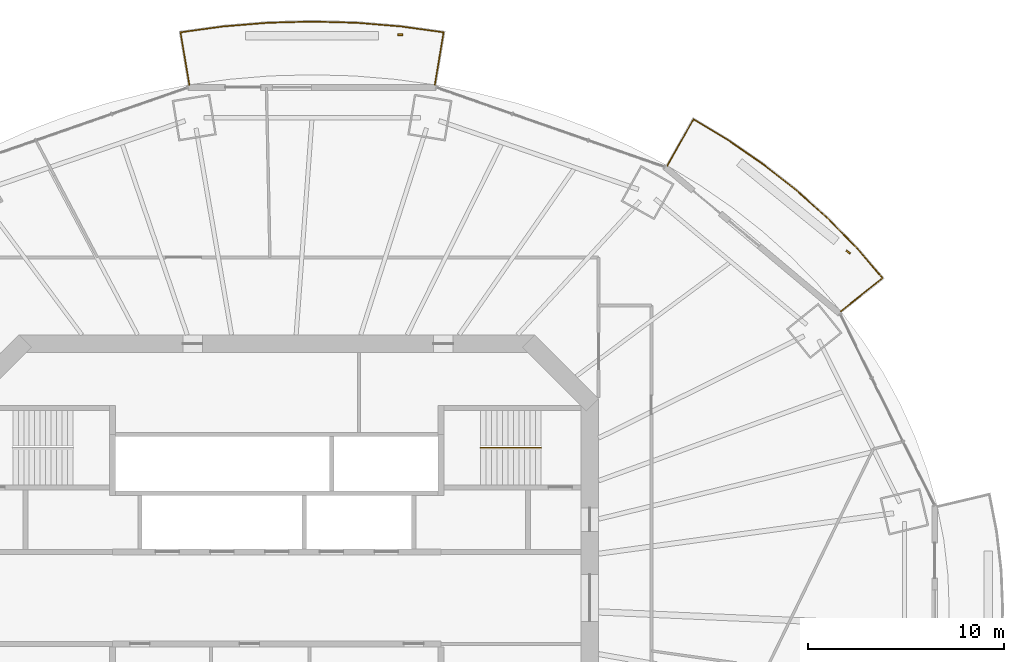
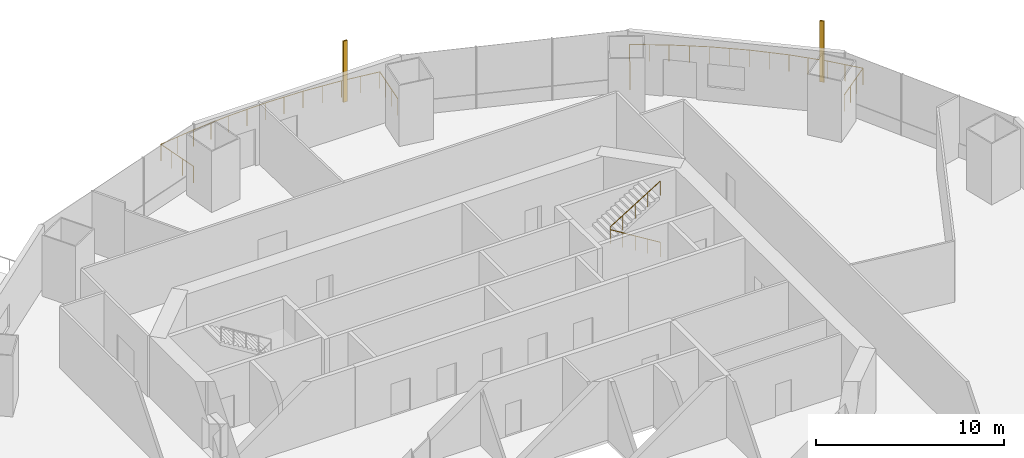
# One storey, part 18 of 20: 3 railings, 2 shading devices.
"""IFC4 building model written with IfcOpenShell, lengths in metres."""

import ifcopenshell
import ifcopenshell.guid

model = None  # the IFC model being written
_history = None  # IfcOwnerHistory: only IFC2X3 demands one
_inside = {}  # id of a spatial element -> (the spatial element, [elements in it])
_under = {}  # id of a project, library or spatial element -> (it, [spatial elements below it])
_declared = {}  # id of a project -> (the project, [libraries it declares])
_typed = {}  # id of a type object -> (the type object, [elements of that type])
_made_of = {}  # id of a material, layer set ... -> (it, [elements and type objects made of it])


def new_model(schema):
    """Start an empty IFC model of exactly this schema.

    Asked for "IFC4X3", IfcOpenShell would pick the latest addendum, in which some entities
    have other attributes; the version numbers below select the first issue.
    IFC2X3 requires an IfcOwnerHistory on every rooted entity: one is made here for all.
    """
    global model, _history
    if schema == "IFC4X3":
        model = ifcopenshell.file(schema_version=(4, 3, 0, 0))
    else:
        model = ifcopenshell.file(schema=schema)
    _inside.clear()
    _under.clear()
    _declared.clear()
    _typed.clear()
    _made_of.clear()
    _history = None
    if model.schema == "IFC2X3":
        org = make("IfcOrganization", Name="unknown")
        user = make(
            "IfcPersonAndOrganization",
            ThePerson=make("IfcPerson", FamilyName="unknown"),
            TheOrganization=org,
        )
        app = make(
            "IfcApplication",
            ApplicationDeveloper=org,
            Version="unknown",
            ApplicationFullName="unknown",
            ApplicationIdentifier="unknown",
        )
        _history = make(
            "IfcOwnerHistory",
            OwningUser=user,
            OwningApplication=app,
            ChangeAction="ADDED",
            CreationDate=0,
        )
    return model


def make(cls, **values):
    """One entity of the class cls with the attributes given. An attribute that is None is left unset."""
    return model.create_entity(
        cls, **{name: value for name, value in values.items() if value is not None}
    )


def rooted(cls, **values):
    """An entity with a GlobalId (a new one), such as an element, a storey or a relation."""
    return make(cls, GlobalId=ifcopenshell.guid.new(), OwnerHistory=_history, **values)


def si_unit(unit_type, name, prefix=None):
    """IfcSIUnit, for example si_unit("LENGTHUNIT", "METRE", prefix="MILLI")."""
    return make("IfcSIUnit", UnitType=unit_type, Prefix=prefix, Name=name)


def assignment(units):
    """IfcUnitAssignment: the units of a project."""
    return None if units is None else make("IfcUnitAssignment", Units=units)


def point(xyz):
    """IfcCartesianPoint."""
    return None if xyz is None else make("IfcCartesianPoint", Coordinates=xyz)


def direction(xyz):
    """IfcDirection."""
    return None if xyz is None else make("IfcDirection", DirectionRatios=xyz)


def frame(location, z_axis=None, x_axis=None):
    """IfcAxis2Placement3D, a coordinate frame: its origin and axes. An axis left out is left unset."""
    return make(
        "IfcAxis2Placement3D",
        Location=point(location),
        Axis=direction(z_axis),
        RefDirection=direction(x_axis),
    )


def frame_2d(location, x_axis=None):
    """IfcAxis2Placement2D, a coordinate frame in the plane: its origin and x axis."""
    return make(
        "IfcAxis2Placement2D", Location=point(location), RefDirection=direction(x_axis)
    )


def origin():
    """The frame at (0, 0, 0) with its axes left unset."""
    return frame((0.0, 0.0, 0.0))


def origin_2d():
    """The frame at (0, 0) in the plane with its x axis left unset."""
    return frame_2d((0.0, 0.0))


def place(relative_to, where):
    """IfcLocalPlacement: puts the frame where relative to a parent placement (None: the world)."""
    return make(
        "IfcLocalPlacement", PlacementRelTo=relative_to, RelativePlacement=where
    )


def context(
    kind, dimensions, precision=None, world=None, true_north=None, identifier=None
):
    """IfcGeometricRepresentationContext, for example the 3D "Model" context."""
    return make(
        "IfcGeometricRepresentationContext",
        ContextIdentifier=identifier,
        ContextType=kind,
        CoordinateSpaceDimension=dimensions,
        Precision=precision,
        WorldCoordinateSystem=world,
        TrueNorth=true_north,
    )


def subcontext(parent, identifier, kind, view, scale=None):
    """IfcGeometricRepresentationSubContext, for example "Body" below "Model"."""
    return make(
        "IfcGeometricRepresentationSubContext",
        ContextIdentifier=identifier,
        ContextType=kind,
        ParentContext=parent,
        TargetScale=scale,
        TargetView=view,
    )


def project(units=None, contexts=None):
    """IfcProject with its units and contexts."""
    return rooted(
        "IfcProject",
        Name="project",
        RepresentationContexts=contexts,
        UnitsInContext=assignment(units),
    )


def spatial(cls, under=None, at=None, **own):
    """A site, building, storey or space (cls), placed at a placement, below another one or the project."""
    s = rooted(cls, ObjectPlacement=at, **own)
    if under is not None:
        _under.setdefault(under.id(), (under, []))[1].append(s)
    return s


def profile(cls, at=None, kind="AREA", **sizes):
    """A parametric profile (cls). Its sizes go by their IFC names, for example OverallWidth=200.0."""
    return make(cls, ProfileType=kind, Position=at, **sizes)


def rectangle(**sizes):
    """IfcRectangleProfileDef."""
    return profile("IfcRectangleProfileDef", **sizes)


def circle(**sizes):
    """IfcCircleProfileDef."""
    return profile("IfcCircleProfileDef", **sizes)


def extrude(swept, where, along, depth):
    """IfcExtrudedAreaSolid: the profile swept, set in the frame where, extruded along a direction by depth."""
    return make(
        "IfcExtrudedAreaSolid",
        SweptArea=swept,
        Position=where,
        ExtrudedDirection=direction(along),
        Depth=depth,
    )


def shape(context_of_items, identifier, shape_type, items):
    """IfcShapeRepresentation: the items that make up one representation, for example the "Body"."""
    return make(
        "IfcShapeRepresentation",
        ContextOfItems=context_of_items,
        RepresentationIdentifier=identifier,
        RepresentationType=shape_type,
        Items=items,
    )


def material(Name=None, Category=None):
    """IfcMaterial."""
    return make("IfcMaterial", Name=Name, Category=Category)


def material_profile(
    of_material, cross_section, Name=None, Category=None, Priority=None
):
    """IfcMaterialProfile: a cross section and its material."""
    return make(
        "IfcMaterialProfile",
        Name=Name,
        Material=of_material,
        Profile=cross_section,
        Priority=Priority,
        Category=Category,
    )


def profile_set(profiles, Name=None, composite=None):
    """IfcMaterialProfileSet."""
    return make(
        "IfcMaterialProfileSet",
        Name=Name,
        MaterialProfiles=profiles,
        CompositeProfile=composite,
    )


def made_of(thing, what):
    """Note that an element or type object is made of a material, layer set ...; save() writes the relation."""
    if what is not None:
        _made_of.setdefault(what.id(), (what, []))[1].append(thing)
    return thing


def type_object(cls, material=None, **own):
    """A type object (cls), such as IfcWallType, which elements share."""
    return made_of(rooted(cls, **own), material)


def element(
    cls,
    number,
    at=None,
    inside=None,
    cuts=None,
    type_object=None,
    material=None,
    context=None,
    identifier="Body",
    shape_type=None,
    held_by="IfcProductDefinitionShape",
    body=None,
    shapes=None,
    **own,
):
    """One element of the class cls, such as IfcWall. Its Tag is "e" and its number.

    at: its placement. inside: the storey or other place that contains it. cuts: it is an
    opening in that element (IfcRelVoidsElement). A single representation is given by context,
    identifier, shape_type and body (its items); several are given by shapes. held_by: the class
    of the entity that holds the representations. save() writes the other relations.
    """
    e = rooted(cls, Tag="e%d" % number, ObjectPlacement=at, **own)
    if body is not None:
        shapes = [shape(context, identifier, shape_type, body)]
    if shapes is not None:
        e.Representation = make(held_by, Representations=shapes)
    if inside is not None:
        _inside.setdefault(inside.id(), (inside, []))[1].append(e)
    if cuts is not None:
        rooted(
            "IfcRelVoidsElement", RelatingBuildingElement=cuts, RelatedOpeningElement=e
        )
    if type_object is not None:
        _typed.setdefault(type_object.id(), (type_object, []))[1].append(e)
    return made_of(e, material)


def aggregate(whole, parts):
    """IfcRelAggregates: a whole, such as a stair, and the parts it consists of."""
    return rooted("IfcRelAggregates", RelatingObject=whole, RelatedObjects=parts)


def save(model, path):
    """Write the relations noted so far, then the file.

    IfcRelAggregates (storeys below a building ...), IfcRelContainedInSpatialStructure (elements
    in a storey), IfcRelDefinesByType, IfcRelAssociatesMaterial and IfcRelDeclares: one each for
    every whole, place, type object, material and project.
    """
    for whole, parts in _under.values():
        aggregate(whole, parts)
    for where, things in _inside.values():
        rooted(
            "IfcRelContainedInSpatialStructure",
            RelatedElements=things,
            RelatingStructure=where,
        )
    for kind, things in _typed.values():
        rooted("IfcRelDefinesByType", RelatedObjects=things, RelatingType=kind)
    for what, things in _made_of.values():
        rooted("IfcRelAssociatesMaterial", RelatedObjects=things, RelatingMaterial=what)
    for by, libraries in _declared.values():
        rooted("IfcRelDeclares", RelatingContext=by, RelatedDefinitions=libraries)
    model.write(path)


model = new_model("IFC4")

# Units and contexts
model_context = context("Model", 3, precision=1e-05, world=origin(), true_north=direction((0.0, 1.0)))
body_context = subcontext(model_context, "Body", "Model", "MODEL_VIEW")
ifc_project = project(units=[si_unit("LENGTHUNIT", "METRE"), si_unit("AREAUNIT", "SQUARE_METRE"), si_unit("VOLUMEUNIT", "CUBIC_METRE"), si_unit("PLANEANGLEUNIT", "RADIAN"), si_unit("MASSUNIT", "GRAM", prefix="KILO")], contexts=[model_context])

# Site, building, storey
site_placement = place(None, origin())
site = spatial("IfcSite", under=ifc_project, at=site_placement, CompositionType="ELEMENT")
building_placement = place(site_placement, origin())
building = spatial("IfcBuilding", under=site, at=building_placement, Name="Marenthal Gate Tower", CompositionType="ELEMENT")
storey_placement = place(building_placement, frame((0.0, 0.0, 181.800048828125)))
storey = spatial("IfcBuildingStorey", under=building, at=storey_placement, Name="L39", CompositionType="ELEMENT", Elevation=181.800048828125)

# Railings
ifc_material_1 = material(Name="Stainless steel", Category="steel")
railing_type_1 = type_object("IfcRailingType", Name="Balcony guard 1100", PredefinedType="GUARDRAIL", material=ifc_material_1)
railing_1_placement = place(storey_placement, frame((19.968505859375, 22.09814453125, 0.0)))
element("IfcRailing", 1, at=railing_1_placement, inside=storey, type_object=railing_type_1, Name="Balcony guard L39 bay 2", PredefinedType="GUARDRAIL", context=body_context, shape_type="SweptSolid", body=[
    extrude(circle(Radius=0.02392578125, at=origin_2d()), frame((0.0, 0.0, 1.076171875), z_axis=(0.489441035624, 0.871912193274, -0.014717332204), x_axis=(-0.87200663665, 0.489494050668, 0.0)), (0.0, 0.0, 1.0), 2.720458984375),
    extrude(circle(Radius=0.02392578125, at=origin_2d()), frame((1.33154296875, 2.3720703125, 1.0361328125), z_axis=(0.856264483042, -0.516537641494, 0.0), x_axis=(0.516537641494, 0.856264483042, 0.0)), (0.0, 0.0, 1.0), 2.1083984375),
    extrude(circle(Radius=0.02392578125, at=origin_2d()), frame((3.136962890625, 1.282958984375, 1.0361328125), z_axis=(0.823473734687, -0.567354393903, 0.0), x_axis=(0.567354393903, 0.823473734687, 0.0)), (0.0, 0.0, 1.0), 2.17041015625),
    extrude(circle(Radius=0.02392578125, at=origin_2d()), frame((4.92431640625, 0.051513671875, 1.0361328125), z_axis=(0.786129411557, -0.618061929167, 0.0), x_axis=(0.618061929167, 0.786129411557, 0.0)), (0.0, 0.0, 1.0), 2.15283203125),
    extrude(circle(Radius=0.02392578125, at=origin_2d()), frame((6.61669921875, -1.279052734375, 1.0361328125), z_axis=(0.744606691868, -0.66750346398, 0.0), x_axis=(0.66750346398, 0.744606691868, 0.0)), (0.0, 0.0, 1.0), 2.13427734375),
    extrude(circle(Radius=0.02392578125, at=origin_2d()), frame((8.205810546875, -2.70361328125, 1.0361328125), z_axis=(0.699100590935, -0.715023330916, 0.0), x_axis=(0.715023330916, 0.699100590935, 0.0)), (0.0, 0.0, 1.0), 2.115966796875),
    extrude(circle(Radius=0.02392578125, at=origin_2d()), frame((9.68505859375, -4.216552734375, 1.0361328125), z_axis=(0.650183496944, -0.759777217546, 0.0), x_axis=(0.759777217546, 0.650183496944, 0.0)), (0.0, 0.0, 1.0), 2.018310546875),
    extrude(circle(Radius=0.02392578125, at=origin_2d()), frame((10.997314453125, -5.75, 1.0361328125), z_axis=(-0.782619614183, -0.622326193205, 0.014718992744), x_axis=(0.622393617256, -0.78270440474, 0.0)), (0.0, 0.0, 1.0), 2.72021484375),
    extrude(circle(Radius=0.02099609375, at=origin_2d()), origin(), (0.0, 0.0, 1.0), 1.052001953125),
    extrude(circle(Radius=0.02099609375, at=origin_2d()), frame((0.44384765625, 0.790771484375, -0.013427734375)), (0.0, 0.0, 1.0), 1.052001953125),
    extrude(circle(Radius=0.02099609375, at=origin_2d()), frame((0.8876953125, 1.581298828125, -0.026611328125)), (0.0, 0.0, 1.0), 1.052001953125),
    extrude(circle(Radius=0.02099609375, at=origin_2d()), frame((1.33154296875, 2.3720703125, -0.0400390625)), (0.0, 0.0, 1.0), 1.052001953125),
    extrude(circle(Radius=0.02099609375, at=origin_2d()), frame((2.234375, 1.82763671875, -0.0400390625)), (0.0, 0.0, 1.0), 1.052001953125),
    extrude(circle(Radius=0.02099609375, at=origin_2d()), frame((3.136962890625, 1.282958984375, -0.0400390625)), (0.0, 0.0, 1.0), 1.052001953125),
    extrude(circle(Radius=0.02099609375, at=origin_2d()), frame((4.03076171875, 0.667236328125, -0.0400390625)), (0.0, 0.0, 1.0), 1.052001953125),
    extrude(circle(Radius=0.02099609375, at=origin_2d()), frame((4.92431640625, 0.051513671875, -0.0400390625)), (0.0, 0.0, 1.0), 1.052001953125),
    extrude(circle(Radius=0.02099609375, at=origin_2d()), frame((5.7705078125, -0.61376953125, -0.0400390625)), (0.0, 0.0, 1.0), 1.052001953125),
    extrude(circle(Radius=0.02099609375, at=origin_2d()), frame((6.61669921875, -1.279052734375, -0.0400390625)), (0.0, 0.0, 1.0), 1.052001953125),
    extrude(circle(Radius=0.02099609375, at=origin_2d()), frame((7.4111328125, -1.9912109375, -0.0400390625)), (0.0, 0.0, 1.0), 1.052001953125),
    extrude(circle(Radius=0.02099609375, at=origin_2d()), frame((8.205810546875, -2.70361328125, -0.0400390625)), (0.0, 0.0, 1.0), 1.052001953125),
    extrude(circle(Radius=0.02099609375, at=origin_2d()), frame((8.9453125, -3.4599609375, -0.0400390625)), (0.0, 0.0, 1.0), 1.052001953125),
    extrude(circle(Radius=0.02099609375, at=origin_2d()), frame((9.68505859375, -4.216552734375, -0.0400390625)), (0.0, 0.0, 1.0), 1.052001953125),
    extrude(circle(Radius=0.02099609375, at=origin_2d()), frame((10.34130859375, -4.9833984375, -0.0400390625)), (0.0, 0.0, 1.0), 1.052001953125),
    extrude(circle(Radius=0.02099609375, at=origin_2d()), frame((10.997314453125, -5.75, -0.0400390625)), (0.0, 0.0, 1.0), 1.052001953125),
    extrude(circle(Radius=0.02099609375, at=origin_2d()), frame((10.28759765625, -6.314208984375, -0.026611328125)), (0.0, 0.0, 1.0), 1.052001953125),
    extrude(circle(Radius=0.02099609375, at=origin_2d()), frame((9.578125, -6.878662109375, -0.013427734375)), (0.0, 0.0, 1.0), 1.052001953125),
    extrude(circle(Radius=0.02099609375, at=origin_2d()), frame((8.868408203125, -7.44287109375, 0.0)), (0.0, 0.0, 1.0), 1.052001953125),
])
railing_2_placement = place(storey_placement, frame((-4.4765625, 26.23388671875, 0.0)))
element("IfcRailing", 2, at=railing_2_placement, inside=storey, type_object=railing_type_1, Name="Balcony guard L39 bay 4", PredefinedType="GUARDRAIL", context=body_context, shape_type="SweptSolid", body=[
    extrude(circle(Radius=0.02392578125, at=origin_2d()), frame((0.0, 0.0, 1.076171875), z_axis=(-0.164788694753, 0.986219051168, -0.014719687331), x_axis=(-0.986325910177, -0.164806549971, 0.0)), (0.0, 0.0, 1.0), 2.72021484375),
    extrude(circle(Radius=0.02392578125, at=origin_2d()), frame((-0.4482421875, 2.6826171875, 1.0361328125), z_axis=(0.990666259572, 0.136309802087, 0.0), x_axis=(-0.136309802087, 0.990666259572, 0.0)), (0.0, 0.0, 1.0), 2.194091796875),
    extrude(circle(Radius=0.02392578125, at=origin_2d()), frame((1.725341796875, 2.981689453125, 1.0361328125), z_axis=(0.996600219709, 0.082389332289, 0.0), x_axis=(-0.082389332289, 0.996600219709, 0.0)), (0.0, 0.0, 1.0), 2.27880859375),
    extrude(circle(Radius=0.02392578125, at=origin_2d()), frame((3.996337890625, 3.16943359375, 1.0361328125), z_axis=(0.999621648056, 0.027505649202, 0.0), x_axis=(-0.027505649202, 0.999621648056, 0.0)), (0.0, 0.0, 1.0), 2.28125),
    extrude(circle(Radius=0.02392578125, at=origin_2d()), frame((6.276611328125, 3.232177734375, 1.0361328125), z_axis=(0.999621567071, -0.027508592219, 0.0), x_axis=(0.027508592219, 0.999621567071, 0.0)), (0.0, 0.0, 1.0), 2.281005859375),
    extrude(circle(Radius=0.02392578125, at=origin_2d()), frame((8.556640625, 3.16943359375, 1.0361328125), z_axis=(0.996600946848, -0.082380536185, 0.0), x_axis=(0.082380536185, 0.996600946848, 0.0)), (0.0, 0.0, 1.0), 2.279052734375),
    extrude(circle(Radius=0.02392578125, at=origin_2d()), frame((10.827880859375, 2.981689453125, 1.0361328125), z_axis=(0.990666259572, -0.136309802087, 0.0), x_axis=(0.136309802087, 0.990666259572, 0.0)), (0.0, 0.0, 1.0), 2.194091796875),
    extrude(circle(Radius=0.02392578125, at=origin_2d()), frame((13.00146484375, 2.6826171875, 1.0361328125), z_axis=(-0.164788694753, -0.986219051168, 0.014719687331), x_axis=(0.986325910177, -0.164806549971, 0.0)), (0.0, 0.0, 1.0), 2.72021484375),
    extrude(circle(Radius=0.02099609375, at=origin_2d()), origin(), (0.0, 0.0, 1.0), 1.052001953125),
    extrude(circle(Radius=0.02099609375, at=origin_2d()), frame((-0.1494140625, 0.894287109375, -0.013427734375)), (0.0, 0.0, 1.0), 1.052001953125),
    extrude(circle(Radius=0.02099609375, at=origin_2d()), frame((-0.298828125, 1.788330078125, -0.026611328125)), (0.0, 0.0, 1.0), 1.052001953125),
    extrude(circle(Radius=0.02099609375, at=origin_2d()), frame((-0.4482421875, 2.6826171875, -0.0400390625)), (0.0, 0.0, 1.0), 1.052001953125),
    extrude(circle(Radius=0.02099609375, at=origin_2d()), frame((0.638671875, 2.83203125, -0.0400390625)), (0.0, 0.0, 1.0), 1.052001953125),
    extrude(circle(Radius=0.02099609375, at=origin_2d()), frame((1.725341796875, 2.981689453125, -0.0400390625)), (0.0, 0.0, 1.0), 1.052001953125),
    extrude(circle(Radius=0.02099609375, at=origin_2d()), frame((2.86083984375, 3.07568359375, -0.0400390625)), (0.0, 0.0, 1.0), 1.052001953125),
    extrude(circle(Radius=0.02099609375, at=origin_2d()), frame((3.996337890625, 3.16943359375, -0.0400390625)), (0.0, 0.0, 1.0), 1.052001953125),
    extrude(circle(Radius=0.02099609375, at=origin_2d()), frame((5.136474609375, 3.20068359375, -0.0400390625)), (0.0, 0.0, 1.0), 1.052001953125),
    extrude(circle(Radius=0.02099609375, at=origin_2d()), frame((6.276611328125, 3.232177734375, -0.0400390625)), (0.0, 0.0, 1.0), 1.052001953125),
    extrude(circle(Radius=0.02099609375, at=origin_2d()), frame((7.41650390625, 3.20068359375, -0.0400390625)), (0.0, 0.0, 1.0), 1.052001953125),
    extrude(circle(Radius=0.02099609375, at=origin_2d()), frame((8.556640625, 3.16943359375, -0.0400390625)), (0.0, 0.0, 1.0), 1.052001953125),
    extrude(circle(Radius=0.02099609375, at=origin_2d()), frame((9.6923828125, 3.07568359375, -0.0400390625)), (0.0, 0.0, 1.0), 1.052001953125),
    extrude(circle(Radius=0.02099609375, at=origin_2d()), frame((10.827880859375, 2.981689453125, -0.0400390625)), (0.0, 0.0, 1.0), 1.052001953125),
    extrude(circle(Radius=0.02099609375, at=origin_2d()), frame((11.91455078125, 2.83203125, -0.0400390625)), (0.0, 0.0, 1.0), 1.052001953125),
    extrude(circle(Radius=0.02099609375, at=origin_2d()), frame((13.00146484375, 2.6826171875, -0.0400390625)), (0.0, 0.0, 1.0), 1.052001953125),
    extrude(circle(Radius=0.02099609375, at=origin_2d()), frame((12.85205078125, 1.788330078125, -0.026611328125)), (0.0, 0.0, 1.0), 1.052001953125),
    extrude(circle(Radius=0.02099609375, at=origin_2d()), frame((12.70263671875, 0.894287109375, -0.013427734375)), (0.0, 0.0, 1.0), 1.052001953125),
    extrude(circle(Radius=0.02099609375, at=origin_2d()), frame((12.55322265625, 0.0, 0.0)), (0.0, 0.0, 1.0), 1.052001953125),
])
ifc_material_2 = material(Name="Stainless steel", Category="steel")
railing_type_2 = type_object("IfcRailingType", Name="Stair handrail", PredefinedType="HANDRAIL", material=ifc_material_2)
railing_3_placement = place(storey_placement, frame((13.5, 7.675048828125, 0.1728515625)))
element("IfcRailing", 3, at=railing_3_placement, inside=storey, type_object=railing_type_2, Name="Handrail ST3", PredefinedType="HANDRAIL", context=body_context, shape_type="SweptSolid", body=[
    extrude(circle(Radius=0.0224609375, at=origin_2d()), frame((0.0, 0.0, 0.927490234375), z_axis=(-0.850835241893, 0.0, 0.525432575268), x_axis=(0.0, -1.0, 0.0)), (0.0, 0.0, 1.0), 3.6201171875),
    extrude(circle(Radius=0.0224609375, at=origin_2d()), frame((-3.080078125, 0.0, 2.82958984375), z_axis=(0.0, 0.0, 1.0), x_axis=(1.0, 0.0, 0.0)), (0.0, 0.0, 1.0), 0.1728515625),
    extrude(circle(Radius=0.0224609375, at=origin_2d()), frame((-3.080078125, 0.0, 3.00244140625), z_axis=(0.850835241893, 0.0, 0.525432575268), x_axis=(0.0, 1.0, 0.0)), (0.0, 0.0, 1.0), 3.6201171875),
    extrude(circle(Radius=0.02001953125, at=origin_2d()), origin(), (0.0, 0.0, 1.0), 0.905029296875),
    extrude(circle(Radius=0.02001953125, at=origin_2d()), frame((-0.77001953125, 0.0, 0.4755859375)), (0.0, 0.0, 1.0), 0.905029296875),
    extrude(circle(Radius=0.02001953125, at=origin_2d()), frame((-1.5400390625, 0.0, 0.951171875)), (0.0, 0.0, 1.0), 0.905029296875),
    extrude(circle(Radius=0.02001953125, at=origin_2d()), frame((-2.31005859375, 0.0, 1.426513671875)), (0.0, 0.0, 1.0), 0.905029296875),
    extrude(circle(Radius=0.02001953125, at=origin_2d()), frame((-3.080078125, 0.0, 1.902099609375)), (0.0, 0.0, 1.0), 0.905029296875),
    extrude(circle(Radius=0.02001953125, at=origin_2d()), frame((-3.080078125, 0.0, 2.074951171875)), (0.0, 0.0, 1.0), 0.905029296875),
    extrude(circle(Radius=0.02001953125, at=origin_2d()), frame((-2.31005859375, 0.0, 2.550537109375)), (0.0, 0.0, 1.0), 0.905029296875),
    extrude(circle(Radius=0.02001953125, at=origin_2d()), frame((-1.5400390625, 0.0, 3.02587890625)), (0.0, 0.0, 1.0), 0.905029296875),
    extrude(circle(Radius=0.02001953125, at=origin_2d()), frame((-0.77001953125, 0.0, 3.50146484375)), (0.0, 0.0, 1.0), 0.905029296875),
    extrude(circle(Radius=0.02001953125, at=origin_2d()), frame((0.0, 0.0, 3.97705078125)), (0.0, 0.0, 1.0), 0.905029296875),
])

# Shading devices
ifc_material_3 = material(Name="Terracotta", Category="masonry")
ifc_material_profile = material_profile(ifc_material_3, rectangle(XDim=0.25, YDim=0.080078125, at=origin_2d()), Name="Terracotta baguette 250x80")
ifc_profile_set = profile_set([ifc_material_profile], Name="Terracotta")
shading_device_type = type_object("IfcShadingDeviceType", Name="Terracotta BAGUETTE SCREEN 250x80", PredefinedType="USERDEFINED", material=ifc_profile_set)
for number, where, z_axis, x_axis, name in (
    (4, (29.217529296875, 17.68359375, -0.0400390625), (0.0, 0.0, 1.0), (-0.765850387542, 0.643018805247, 0.0), "Terracotta BAGUETTE L39 bay 2L"),
    (5, (6.316650390625, 28.791015625, -0.0400390625), (0.0, 0.0, 1.0), (-1.0, 0.0, 0.0), "Terracotta BAGUETTE L39 bay 4L"),
):
    element("IfcShadingDevice", number, at=place(storey_placement, frame(where, z_axis=z_axis, x_axis=x_axis)), inside=storey, type_object=shading_device_type, Name=name, ObjectType="BAGUETTE SCREEN", PredefinedType="USERDEFINED", context=body_context, shape_type="SweptSolid", body=[
        extrude(rectangle(XDim=0.25, YDim=0.080078125, at=origin_2d()), origin(), (0.0, 0.0, 1.0), 3.969970703125),
    ])

save(model, "model.ifc")
